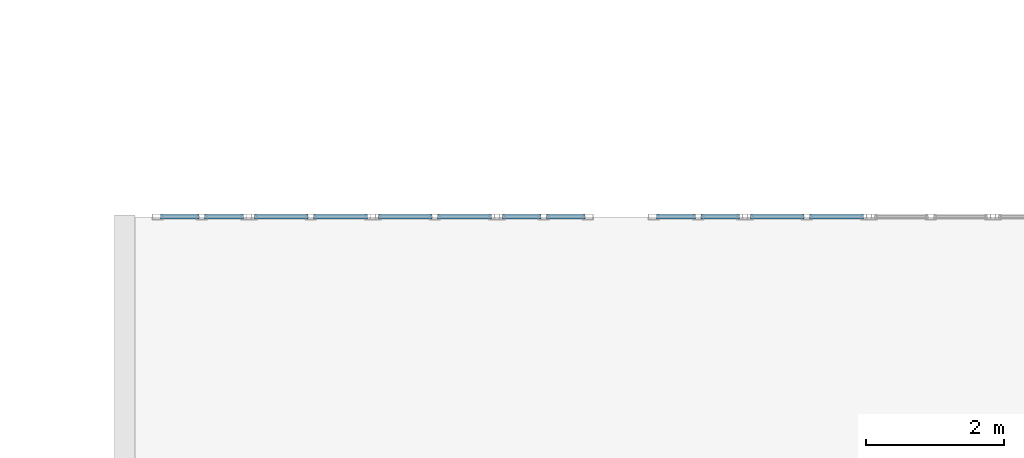
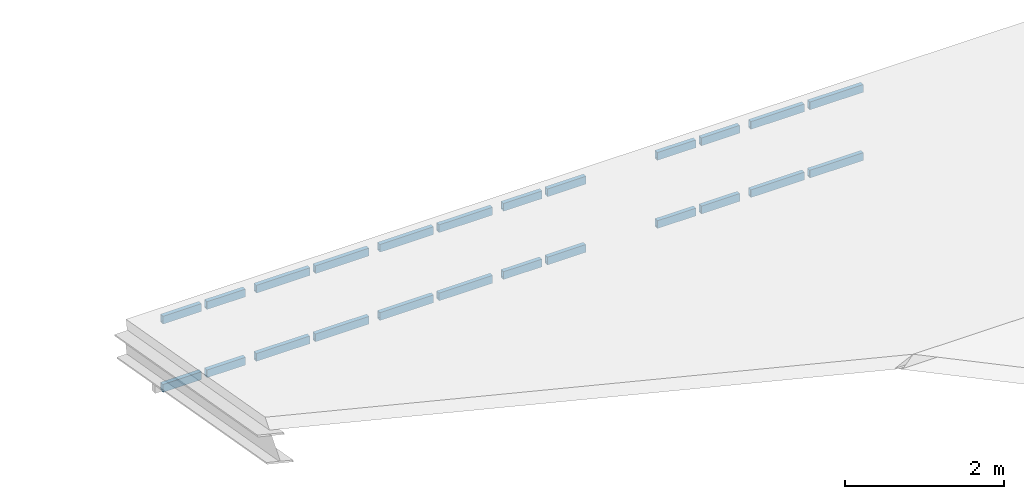
# One storey, part 24 of 39: 24 members, 6 elements without a shape of their own.
"""IFC4 building model written with IfcOpenShell, lengths in metres."""

from ifc_helpers import new_model, si_unit, direction, frame, origin, origin_2d, place, context, subcontext, project, spatial, hollow_rectangle, extrude, material, layer, layer_set, material_profile, profile_set, type_object, element, aggregate, save


model = new_model("IFC4")

# Units and contexts
model_context = context("Model", 3, precision=1e-05, world=origin(), true_north=direction((0.0, 1.0)))
body_context = subcontext(model_context, "Body", "Model", "MODEL_VIEW")
ifc_project = project(units=[si_unit("LENGTHUNIT", "METRE"), si_unit("AREAUNIT", "SQUARE_METRE"), si_unit("VOLUMEUNIT", "CUBIC_METRE"), si_unit("PLANEANGLEUNIT", "RADIAN"), si_unit("MASSUNIT", "GRAM", prefix="KILO"), si_unit("THERMODYNAMICTEMPERATUREUNIT", "KELVIN"), si_unit("POWERUNIT", "WATT")], contexts=[model_context])

# Site, building, storey
site_placement = place(None, origin())
site = spatial("IfcSite", under=ifc_project, at=site_placement, CompositionType="ELEMENT")
building_placement = place(site_placement, origin())
building = spatial("IfcBuilding", under=site, at=building_placement, Name="Kaldorven Railside Theatre", CompositionType="ELEMENT")
storey_placement = place(building_placement, frame((0.0, 0.0, 27.300048828125)))
storey = spatial("IfcBuildingStorey", under=building, at=storey_placement, Name="ROOF", CompositionType="ELEMENT", Elevation=27.300048828125)

# Curtain wall, members
ifc_material_1 = material(Name="Low-E laminated solar-control glass", Category="glass")
ifc_layer_1 = layer(ifc_material_1, 0.159912109375, Name="Low-E laminated solar-control glass")
ifc_layer_set_1 = layer_set([ifc_layer_1], Name="Low-E laminated solar-control glass")
curtain_wall_type_1 = type_object("IfcCurtainWallType", Name="CWT-82", PredefinedType="USERDEFINED", material=ifc_layer_set_1)
curtain_wall_1_placement = place(storey_placement, origin())
curtain_wall_1 = element("IfcCurtainWall", 1, at=curtain_wall_1_placement, inside=storey, type_object=curtain_wall_type_1, Name="Backstage Link North Clerestory CWG-202", ObjectType="FLUTED GLAZING", PredefinedType="USERDEFINED")
ifc_material_2 = material(Name="Anodised bronze aluminium", Category="aluminium")
ifc_material_profile = material_profile(ifc_material_2, hollow_rectangle(XDim=0.06005859375, YDim=0.1201171875, WallThickness=0.0048828125, at=origin_2d()), Name="RHS 120x60x5")
ifc_profile_set = profile_set([ifc_material_profile], Name="Anodised bronze aluminium")
member_type = type_object("IfcMemberType", Name="CWT-120", PredefinedType="USERDEFINED", material=ifc_profile_set)
member_1_placement = place(storey_placement, frame((109.320068359375, 134.39990234375, 0.050048828125), z_axis=(1.0, 0.0, 0.0), x_axis=(0.0, 1.0, 0.0)))
member_1 = element("IfcMember", 2, at=member_1_placement, type_object=member_type, Name="CWG-202 transom 1.1", ObjectType="TRANSOM", PredefinedType="USERDEFINED", context=body_context, shape_type="SweptSolid", body=[
    extrude(hollow_rectangle(XDim=0.06005859375, YDim=0.1201171875, WallThickness=0.0048828125, at=origin_2d()), origin(), (0.0, 0.0, 1.0), 0.559814453125),
])
member_2_placement = place(storey_placement, frame((109.320068359375, 134.39990234375, 1.099853515625), z_axis=(1.0, 0.0, 0.0), x_axis=(0.0, 1.0, 0.0)))
member_2 = element("IfcMember", 3, at=member_2_placement, type_object=member_type, Name="CWG-202 transom 1.2", ObjectType="TRANSOM", PredefinedType="USERDEFINED", context=body_context, shape_type="SweptSolid", body=[
    extrude(hollow_rectangle(XDim=0.06005859375, YDim=0.1201171875, WallThickness=0.0048828125, at=origin_2d()), origin(), (0.0, 0.0, 1.0), 0.559814453125),
])
member_3_placement = place(storey_placement, frame((109.9599609375, 134.39990234375, 0.050048828125), z_axis=(1.0, 0.0, 0.0), x_axis=(0.0, 1.0, 0.0)))
member_3 = element("IfcMember", 4, at=member_3_placement, type_object=member_type, Name="CWG-202 transom 2.1", ObjectType="TRANSOM", PredefinedType="USERDEFINED", context=body_context, shape_type="SweptSolid", body=[
    extrude(hollow_rectangle(XDim=0.06005859375, YDim=0.1201171875, WallThickness=0.0048828125, at=origin_2d()), origin(), (0.0, 0.0, 1.0), 0.56005859375),
])
member_4_placement = place(storey_placement, frame((109.9599609375, 134.39990234375, 1.099853515625), z_axis=(1.0, 0.0, 0.0), x_axis=(0.0, 1.0, 0.0)))
member_4 = element("IfcMember", 5, at=member_4_placement, type_object=member_type, Name="CWG-202 transom 2.2", ObjectType="TRANSOM", PredefinedType="USERDEFINED", context=body_context, shape_type="SweptSolid", body=[
    extrude(hollow_rectangle(XDim=0.06005859375, YDim=0.1201171875, WallThickness=0.0048828125, at=origin_2d()), origin(), (0.0, 0.0, 1.0), 0.56005859375),
])
aggregate(curtain_wall_1, [member_1, member_2, member_3, member_4])

ifc_layer_2 = layer(ifc_material_1, 0.159912109375, Name="Low-E laminated solar-control glass")
ifc_layer_set_2 = layer_set([ifc_layer_2], Name="Low-E laminated solar-control glass")
curtain_wall_type_2 = type_object("IfcCurtainWallType", Name="CWT-83", PredefinedType="USERDEFINED", material=ifc_layer_set_2)
curtain_wall_2_placement = place(storey_placement, origin())
curtain_wall_2 = element("IfcCurtainWall", 6, at=curtain_wall_2_placement, inside=storey, type_object=curtain_wall_type_2, Name="Backstage Link North Clerestory CWG-203", ObjectType="FLUTED GLAZING", PredefinedType="USERDEFINED")
member_5_placement = place(storey_placement, frame((110.679931640625, 134.39990234375, 0.050048828125), z_axis=(1.0, 0.0, 0.0), x_axis=(0.0, 1.0, 0.0)))
member_5 = element("IfcMember", 7, at=member_5_placement, type_object=member_type, Name="CWG-203 transom 1.1", ObjectType="TRANSOM", PredefinedType="USERDEFINED", context=body_context, shape_type="SweptSolid", body=[
    extrude(hollow_rectangle(XDim=0.06005859375, YDim=0.1201171875, WallThickness=0.0048828125, at=origin_2d()), origin(), (0.0, 0.0, 1.0), 0.780029296875),
])
member_6_placement = place(storey_placement, frame((110.679931640625, 134.39990234375, 1.099853515625), z_axis=(1.0, 0.0, 0.0), x_axis=(0.0, 1.0, 0.0)))
member_6 = element("IfcMember", 8, at=member_6_placement, type_object=member_type, Name="CWG-203 transom 1.2", ObjectType="TRANSOM", PredefinedType="USERDEFINED", context=body_context, shape_type="SweptSolid", body=[
    extrude(hollow_rectangle(XDim=0.06005859375, YDim=0.1201171875, WallThickness=0.0048828125, at=origin_2d()), origin(), (0.0, 0.0, 1.0), 0.780029296875),
])
member_7_placement = place(storey_placement, frame((111.5400390625, 134.39990234375, 0.050048828125), z_axis=(1.0, 0.0, 0.0), x_axis=(0.0, 1.0, 0.0)))
member_7 = element("IfcMember", 9, at=member_7_placement, type_object=member_type, Name="CWG-203 transom 2.1", ObjectType="TRANSOM", PredefinedType="USERDEFINED", context=body_context, shape_type="SweptSolid", body=[
    extrude(hollow_rectangle(XDim=0.06005859375, YDim=0.1201171875, WallThickness=0.0048828125, at=origin_2d()), origin(), (0.0, 0.0, 1.0), 0.780029296875),
])
member_8_placement = place(storey_placement, frame((111.5400390625, 134.39990234375, 1.099853515625), z_axis=(1.0, 0.0, 0.0), x_axis=(0.0, 1.0, 0.0)))
member_8 = element("IfcMember", 10, at=member_8_placement, type_object=member_type, Name="CWG-203 transom 2.2", ObjectType="TRANSOM", PredefinedType="USERDEFINED", context=body_context, shape_type="SweptSolid", body=[
    extrude(hollow_rectangle(XDim=0.06005859375, YDim=0.1201171875, WallThickness=0.0048828125, at=origin_2d()), origin(), (0.0, 0.0, 1.0), 0.780029296875),
])
aggregate(curtain_wall_2, [member_5, member_6, member_7, member_8])

curtain_wall_3_placement = place(storey_placement, origin())
curtain_wall_3 = element("IfcCurtainWall", 11, at=curtain_wall_3_placement, inside=storey, type_object=curtain_wall_type_2, Name="Backstage Link North Clerestory CWG-204", ObjectType="FLUTED GLAZING", PredefinedType="USERDEFINED")
member_9_placement = place(storey_placement, frame((112.47998046875, 134.39990234375, 0.050048828125), z_axis=(1.0, 0.0, 0.0), x_axis=(0.0, 1.0, 0.0)))
member_9 = element("IfcMember", 12, at=member_9_placement, type_object=member_type, Name="CWG-204 transom 1.1", ObjectType="TRANSOM", PredefinedType="USERDEFINED", context=body_context, shape_type="SweptSolid", body=[
    extrude(hollow_rectangle(XDim=0.06005859375, YDim=0.1201171875, WallThickness=0.0048828125, at=origin_2d()), origin(), (0.0, 0.0, 1.0), 0.780029296875),
])
member_10_placement = place(storey_placement, frame((112.47998046875, 134.39990234375, 1.099853515625), z_axis=(1.0, 0.0, 0.0), x_axis=(0.0, 1.0, 0.0)))
member_10 = element("IfcMember", 13, at=member_10_placement, type_object=member_type, Name="CWG-204 transom 1.2", ObjectType="TRANSOM", PredefinedType="USERDEFINED", context=body_context, shape_type="SweptSolid", body=[
    extrude(hollow_rectangle(XDim=0.06005859375, YDim=0.1201171875, WallThickness=0.0048828125, at=origin_2d()), origin(), (0.0, 0.0, 1.0), 0.780029296875),
])
member_11_placement = place(storey_placement, frame((113.340087890625, 134.39990234375, 0.050048828125), z_axis=(1.0, 0.0, 0.0), x_axis=(0.0, 1.0, 0.0)))
member_11 = element("IfcMember", 14, at=member_11_placement, type_object=member_type, Name="CWG-204 transom 2.1", ObjectType="TRANSOM", PredefinedType="USERDEFINED", context=body_context, shape_type="SweptSolid", body=[
    extrude(hollow_rectangle(XDim=0.06005859375, YDim=0.1201171875, WallThickness=0.0048828125, at=origin_2d()), origin(), (0.0, 0.0, 1.0), 0.780029296875),
])
member_12_placement = place(storey_placement, frame((113.340087890625, 134.39990234375, 1.099853515625), z_axis=(1.0, 0.0, 0.0), x_axis=(0.0, 1.0, 0.0)))
member_12 = element("IfcMember", 15, at=member_12_placement, type_object=member_type, Name="CWG-204 transom 2.2", ObjectType="TRANSOM", PredefinedType="USERDEFINED", context=body_context, shape_type="SweptSolid", body=[
    extrude(hollow_rectangle(XDim=0.06005859375, YDim=0.1201171875, WallThickness=0.0048828125, at=origin_2d()), origin(), (0.0, 0.0, 1.0), 0.780029296875),
])
aggregate(curtain_wall_3, [member_9, member_10, member_11, member_12])

curtain_wall_4_placement = place(storey_placement, origin())
curtain_wall_4 = element("IfcCurtainWall", 16, at=curtain_wall_4_placement, inside=storey, type_object=curtain_wall_type_1, Name="Backstage Link North Clerestory CWG-205", ObjectType="FLUTED GLAZING", PredefinedType="USERDEFINED")
member_13_placement = place(storey_placement, frame((114.280029296875, 134.39990234375, 0.050048828125), z_axis=(1.0, 0.0, 0.0), x_axis=(0.0, 1.0, 0.0)))
member_13 = element("IfcMember", 17, at=member_13_placement, type_object=member_type, Name="CWG-205 transom 1.1", ObjectType="TRANSOM", PredefinedType="USERDEFINED", context=body_context, shape_type="SweptSolid", body=[
    extrude(hollow_rectangle(XDim=0.06005859375, YDim=0.1201171875, WallThickness=0.0048828125, at=origin_2d()), origin(), (0.0, 0.0, 1.0), 0.56005859375),
])
member_14_placement = place(storey_placement, frame((114.280029296875, 134.39990234375, 1.099853515625), z_axis=(1.0, 0.0, 0.0), x_axis=(0.0, 1.0, 0.0)))
member_14 = element("IfcMember", 18, at=member_14_placement, type_object=member_type, Name="CWG-205 transom 1.2", ObjectType="TRANSOM", PredefinedType="USERDEFINED", context=body_context, shape_type="SweptSolid", body=[
    extrude(hollow_rectangle(XDim=0.06005859375, YDim=0.1201171875, WallThickness=0.0048828125, at=origin_2d()), origin(), (0.0, 0.0, 1.0), 0.56005859375),
])
member_15_placement = place(storey_placement, frame((114.919921875, 134.39990234375, 0.050048828125), z_axis=(1.0, 0.0, 0.0), x_axis=(0.0, 1.0, 0.0)))
member_15 = element("IfcMember", 19, at=member_15_placement, type_object=member_type, Name="CWG-205 transom 2.1", ObjectType="TRANSOM", PredefinedType="USERDEFINED", context=body_context, shape_type="SweptSolid", body=[
    extrude(hollow_rectangle(XDim=0.06005859375, YDim=0.1201171875, WallThickness=0.0048828125, at=origin_2d()), origin(), (0.0, 0.0, 1.0), 0.56005859375),
])
member_16_placement = place(storey_placement, frame((114.919921875, 134.39990234375, 1.099853515625), z_axis=(1.0, 0.0, 0.0), x_axis=(0.0, 1.0, 0.0)))
member_16 = element("IfcMember", 20, at=member_16_placement, type_object=member_type, Name="CWG-205 transom 2.2", ObjectType="TRANSOM", PredefinedType="USERDEFINED", context=body_context, shape_type="SweptSolid", body=[
    extrude(hollow_rectangle(XDim=0.06005859375, YDim=0.1201171875, WallThickness=0.0048828125, at=origin_2d()), origin(), (0.0, 0.0, 1.0), 0.56005859375),
])
aggregate(curtain_wall_4, [member_13, member_14, member_15, member_16])

curtain_wall_5_placement = place(storey_placement, origin())
curtain_wall_5 = element("IfcCurtainWall", 21, at=curtain_wall_5_placement, inside=storey, type_object=curtain_wall_type_1, Name="Backstage Link North Clerestory CWG-206", ObjectType="FLUTED GLAZING", PredefinedType="USERDEFINED")
member_17_placement = place(storey_placement, frame((116.52001953125, 134.39990234375, 0.050048828125), z_axis=(1.0, 0.0, 0.0), x_axis=(0.0, 1.0, 0.0)))
member_17 = element("IfcMember", 22, at=member_17_placement, type_object=member_type, Name="CWG-206 transom 1.1", ObjectType="TRANSOM", PredefinedType="USERDEFINED", context=body_context, shape_type="SweptSolid", body=[
    extrude(hollow_rectangle(XDim=0.06005859375, YDim=0.1201171875, WallThickness=0.0048828125, at=origin_2d()), origin(), (0.0, 0.0, 1.0), 0.56005859375),
])
member_18_placement = place(storey_placement, frame((116.52001953125, 134.39990234375, 1.099853515625), z_axis=(1.0, 0.0, 0.0), x_axis=(0.0, 1.0, 0.0)))
member_18 = element("IfcMember", 23, at=member_18_placement, type_object=member_type, Name="CWG-206 transom 1.2", ObjectType="TRANSOM", PredefinedType="USERDEFINED", context=body_context, shape_type="SweptSolid", body=[
    extrude(hollow_rectangle(XDim=0.06005859375, YDim=0.1201171875, WallThickness=0.0048828125, at=origin_2d()), origin(), (0.0, 0.0, 1.0), 0.56005859375),
])
member_19_placement = place(storey_placement, frame((117.159912109375, 134.39990234375, 0.050048828125), z_axis=(1.0, 0.0, 0.0), x_axis=(0.0, 1.0, 0.0)))
member_19 = element("IfcMember", 24, at=member_19_placement, type_object=member_type, Name="CWG-206 transom 2.1", ObjectType="TRANSOM", PredefinedType="USERDEFINED", context=body_context, shape_type="SweptSolid", body=[
    extrude(hollow_rectangle(XDim=0.06005859375, YDim=0.1201171875, WallThickness=0.0048828125, at=origin_2d()), origin(), (0.0, 0.0, 1.0), 0.56005859375),
])
member_20_placement = place(storey_placement, frame((117.159912109375, 134.39990234375, 1.099853515625), z_axis=(1.0, 0.0, 0.0), x_axis=(0.0, 1.0, 0.0)))
member_20 = element("IfcMember", 25, at=member_20_placement, type_object=member_type, Name="CWG-206 transom 2.2", ObjectType="TRANSOM", PredefinedType="USERDEFINED", context=body_context, shape_type="SweptSolid", body=[
    extrude(hollow_rectangle(XDim=0.06005859375, YDim=0.1201171875, WallThickness=0.0048828125, at=origin_2d()), origin(), (0.0, 0.0, 1.0), 0.56005859375),
])
aggregate(curtain_wall_5, [member_17, member_18, member_19, member_20])

curtain_wall_6_placement = place(storey_placement, origin())
curtain_wall_6 = element("IfcCurtainWall", 26, at=curtain_wall_6_placement, inside=storey, type_object=curtain_wall_type_2, Name="Backstage Link North Clerestory CWG-207", ObjectType="FLUTED GLAZING", PredefinedType="USERDEFINED")
member_21_placement = place(storey_placement, frame((117.8798828125, 134.39990234375, 0.050048828125), z_axis=(1.0, 0.0, 0.0), x_axis=(0.0, 1.0, 0.0)))
member_21 = element("IfcMember", 27, at=member_21_placement, type_object=member_type, Name="CWG-207 transom 1.1", ObjectType="TRANSOM", PredefinedType="USERDEFINED", context=body_context, shape_type="SweptSolid", body=[
    extrude(hollow_rectangle(XDim=0.06005859375, YDim=0.1201171875, WallThickness=0.0048828125, at=origin_2d()), origin(), (0.0, 0.0, 1.0), 0.780029296875),
])
member_22_placement = place(storey_placement, frame((117.8798828125, 134.39990234375, 1.099853515625), z_axis=(1.0, 0.0, 0.0), x_axis=(0.0, 1.0, 0.0)))
member_22 = element("IfcMember", 28, at=member_22_placement, type_object=member_type, Name="CWG-207 transom 1.2", ObjectType="TRANSOM", PredefinedType="USERDEFINED", context=body_context, shape_type="SweptSolid", body=[
    extrude(hollow_rectangle(XDim=0.06005859375, YDim=0.1201171875, WallThickness=0.0048828125, at=origin_2d()), origin(), (0.0, 0.0, 1.0), 0.780029296875),
])
member_23_placement = place(storey_placement, frame((118.739990234375, 134.39990234375, 0.050048828125), z_axis=(1.0, 0.0, 0.0), x_axis=(0.0, 1.0, 0.0)))
member_23 = element("IfcMember", 29, at=member_23_placement, type_object=member_type, Name="CWG-207 transom 2.1", ObjectType="TRANSOM", PredefinedType="USERDEFINED", context=body_context, shape_type="SweptSolid", body=[
    extrude(hollow_rectangle(XDim=0.06005859375, YDim=0.1201171875, WallThickness=0.0048828125, at=origin_2d()), origin(), (0.0, 0.0, 1.0), 0.780029296875),
])
member_24_placement = place(storey_placement, frame((118.739990234375, 134.39990234375, 1.099853515625), z_axis=(1.0, 0.0, 0.0), x_axis=(0.0, 1.0, 0.0)))
member_24 = element("IfcMember", 30, at=member_24_placement, type_object=member_type, Name="CWG-207 transom 2.2", ObjectType="TRANSOM", PredefinedType="USERDEFINED", context=body_context, shape_type="SweptSolid", body=[
    extrude(hollow_rectangle(XDim=0.06005859375, YDim=0.1201171875, WallThickness=0.0048828125, at=origin_2d()), origin(), (0.0, 0.0, 1.0), 0.780029296875),
])
aggregate(curtain_wall_6, [member_21, member_22, member_23, member_24])

save(model, "model.ifc")
